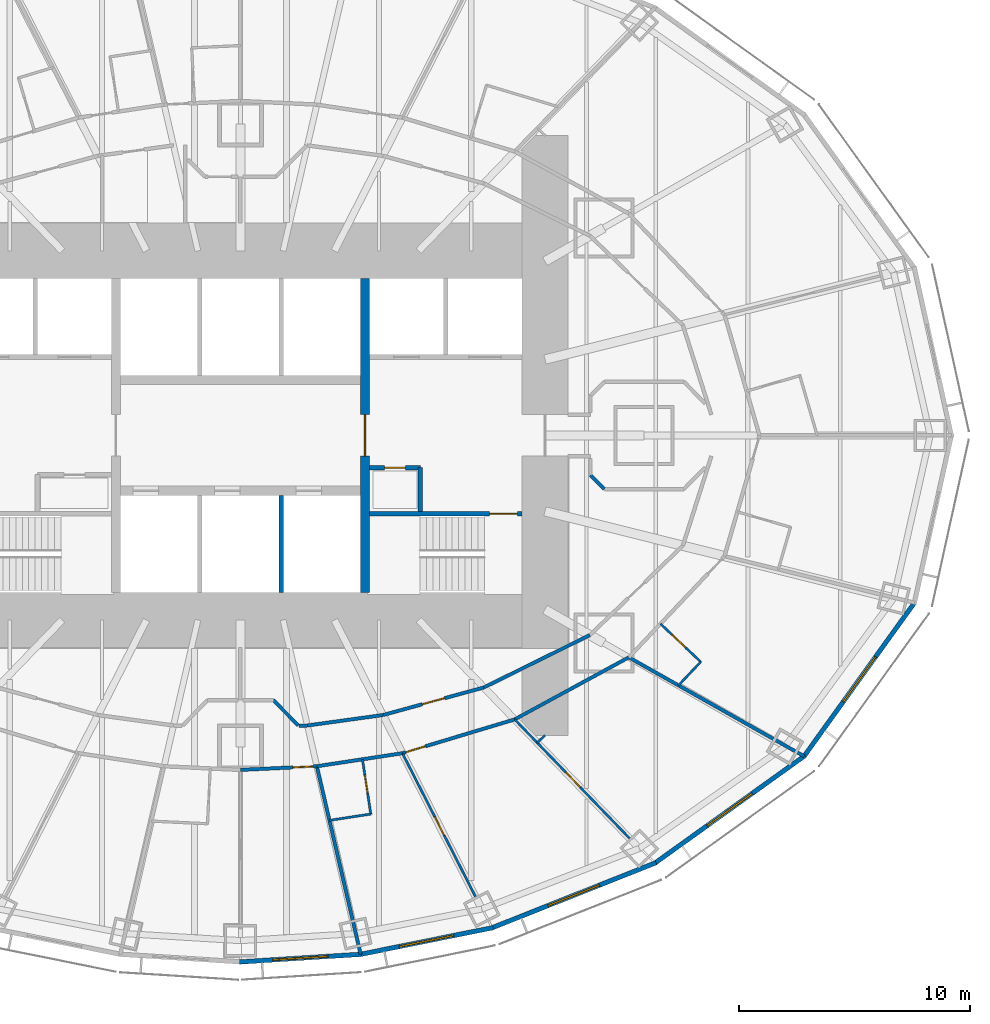
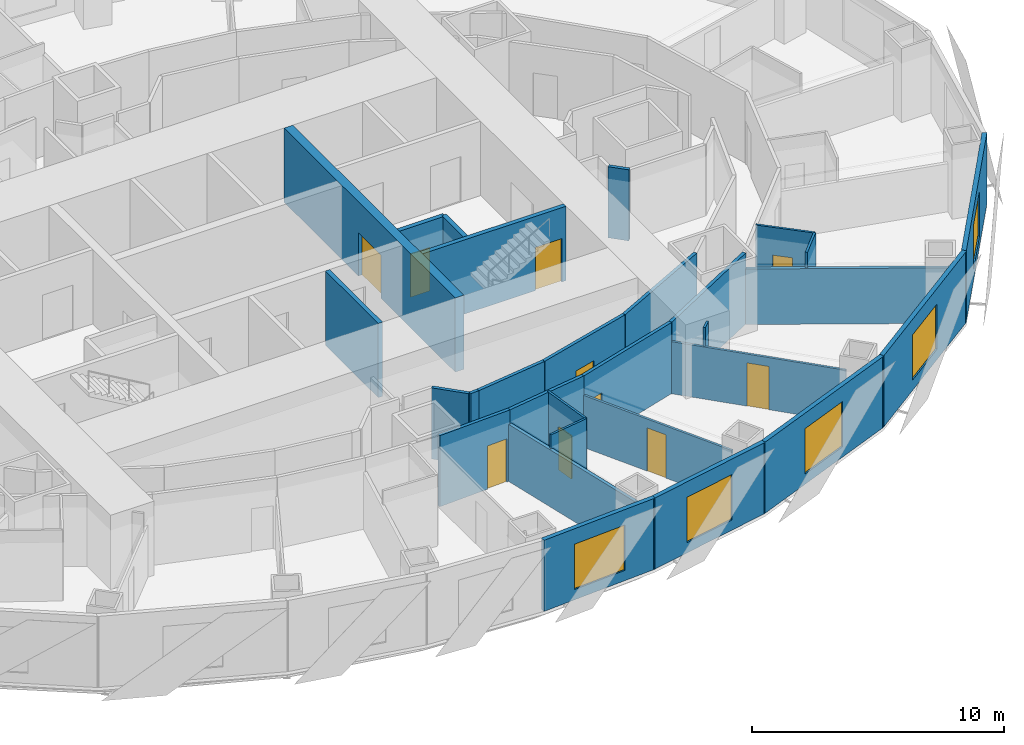
# One storey, part 7 of 15: 29 walls, 10 doors, 5 windows, 15 openings.
"""IFC4 building model written with IfcOpenShell, lengths in metres."""

from ifc_helpers import new_model, si_unit, direction, frame, frame_2d, origin, place, context, subcontext, project, spatial, rectangle, extrude, material, layer, layer_set, type_object, element, fill, save


model = new_model("IFC4")

# Units and contexts
model_context = context("Model", 3, precision=1e-05, world=origin(), true_north=direction((0.0, 1.0)))
body_context = subcontext(model_context, "Body", "Model", "MODEL_VIEW")
ifc_project = project(units=[si_unit("LENGTHUNIT", "METRE"), si_unit("AREAUNIT", "SQUARE_METRE"), si_unit("VOLUMEUNIT", "CUBIC_METRE"), si_unit("PLANEANGLEUNIT", "RADIAN"), si_unit("MASSUNIT", "GRAM", prefix="KILO")], contexts=[model_context])

# Site, building, storey
site_placement = place(None, origin())
site = spatial("IfcSite", under=ifc_project, at=site_placement, CompositionType="ELEMENT")
building_placement = place(site_placement, origin())
building = spatial("IfcBuilding", under=site, at=building_placement, Name="Lantaw Convention Tower", CompositionType="ELEMENT")
storey_placement = place(building_placement, frame((0.0, 0.0, 44.199951171875)))
storey = spatial("IfcBuildingStorey", under=building, at=storey_placement, Name="L08", CompositionType="ELEMENT", Elevation=44.199951171875)

# Wall, opening, door
ifc_material_1 = material(Name="Moisture resistant gypsum board on steel studs", Category="steel")
ifc_layer_1 = layer(ifc_material_1, 0.10009765625)
ifc_layer_set_1 = layer_set([ifc_layer_1], Name="Bathroom wall 100")
wall_type_1 = type_object("IfcWallType", Name="Bathroom wall 100", PredefinedType="PARTITIONING", material=ifc_layer_set_1)
wall_1_placement = place(storey_placement, frame((5.288330078125, -14.04052734375, 0.0), z_axis=(0.0, 0.0, 1.0), x_axis=(0.150757550564, -0.988570766788, 0.0)))
wall_1 = element("IfcWall", 1, at=wall_1_placement, inside=storey, type_object=wall_type_1, Name="Bathroom wall 100", PredefinedType="PARTITIONING", context=body_context, shape_type="SweptSolid", body=[
    extrude(rectangle(XDim=2.39990234375, YDim=0.10009765625, at=frame_2d((1.199951171875, 0.0))), origin(), (0.0, 0.0, 1.0), 3.449951171875),
])
opening_1_placement = place(wall_1_placement, frame((0.699951171875, 0.0, 0.0)))
opening_1 = element("IfcOpeningElement", 2, at=opening_1_placement, cuts=wall_1, Name="Opening L08.54", PredefinedType="OPENING", context=body_context, shape_type="SweptSolid", body=[
    extrude(rectangle(XDim=0.800048828125, YDim=2.10009765625, at=frame_2d((0.39990234375, 1.050048828125))), frame((0.0, 0.06005859375, 0.0), z_axis=(0.0, -1.0, 0.0), x_axis=(1.0, 0.0, 0.0)), (0.0, 0.0, 1.0), 0.1201171875),
])
ifc_material_2 = material(Name="Timber", Category="wood")
door_type_1 = type_object("IfcDoorType", Name="Bathroom door 800", OperationType="SINGLE_SWING_LEFT", PredefinedType="DOOR", material=ifc_material_2)
door_1_placement = place(opening_1_placement, origin())
door_1 = element("IfcDoor", 3, at=door_1_placement, inside=storey, type_object=door_type_1, Name="Bathroom door", OperationType="SINGLE_SWING_LEFT", OverallHeight=2.10009765625, OverallWidth=0.800048828125, PredefinedType="DOOR", context=body_context, shape_type="SweptSolid", body=[
    extrude(rectangle(XDim=0.800048828125, YDim=2.10009765625, at=frame_2d((0.39990234375, 1.050048828125))), frame((0.0, 0.02490234375, 0.0), z_axis=(0.0, -1.0, 0.0), x_axis=(1.0, 0.0, 0.0)), (0.0, 0.0, 1.0), 0.050048828125),
])
fill(opening_1, door_1)

# Wall
wall_2_placement = place(storey_placement, frame((5.650146484375, -16.4130859375, 0.0), z_axis=(0.0, 0.0, 1.0), x_axis=(-0.988567991054, -0.150775750911, 0.0)))
element("IfcWall", 4, at=wall_2_placement, inside=storey, type_object=wall_type_1, Name="Bathroom wall 100", PredefinedType="PARTITIONING", context=body_context, shape_type="SweptSolid", body=[
    extrude(rectangle(XDim=1.818359375, YDim=0.10009765625, at=frame_2d((0.9091796875, 0.0))), origin(), (0.0, 0.0, 1.0), 3.449951171875),
])

# Wall, opening, door
wall_3_placement = place(storey_placement, frame((18.209228515625, -8.166748046875, 0.0), z_axis=(0.0, 0.0, 1.0), x_axis=(0.726567238928, -0.687095369885, 0.0)))
wall_3 = element("IfcWall", 5, at=wall_3_placement, inside=storey, type_object=wall_type_1, Name="Bathroom wall 100", PredefinedType="PARTITIONING", context=body_context, shape_type="SweptSolid", body=[
    extrude(rectangle(XDim=2.39990234375, YDim=0.10009765625, at=frame_2d((1.199951171875, 0.0))), origin(), (0.0, 0.0, 1.0), 3.449951171875),
])
opening_2_placement = place(wall_3_placement, frame((0.699951171875, 0.0, 0.0)))
opening_2 = element("IfcOpeningElement", 6, at=opening_2_placement, cuts=wall_3, Name="Opening L08.58", PredefinedType="OPENING", context=body_context, shape_type="SweptSolid", body=[
    extrude(rectangle(XDim=0.800048828125, YDim=2.10009765625, at=frame_2d((0.39990234375, 1.050048828125))), frame((0.0, 0.06005859375, 0.0), z_axis=(0.0, -1.0, 0.0), x_axis=(1.0, 0.0, 0.0)), (0.0, 0.0, 1.0), 0.1201171875),
])
door_2_placement = place(opening_2_placement, origin())
door_2 = element("IfcDoor", 7, at=door_2_placement, inside=storey, type_object=door_type_1, Name="Bathroom door", OperationType="SINGLE_SWING_LEFT", OverallHeight=2.10009765625, OverallWidth=0.800048828125, PredefinedType="DOOR", context=body_context, shape_type="SweptSolid", body=[
    extrude(rectangle(XDim=0.800048828125, YDim=2.10009765625, at=frame_2d((0.39990234375, 1.050048828125))), frame((0.0, 0.02490234375, 0.0), z_axis=(0.0, -1.0, 0.0), x_axis=(1.0, 0.0, 0.0)), (0.0, 0.0, 1.0), 0.050048828125),
])
fill(opening_2, door_2)

# Wall
wall_4_placement = place(storey_placement, frame((19.952880859375, -9.815673828125, 0.0), z_axis=(0.0, 0.0, 1.0), x_axis=(-0.687017997787, -0.726640399866, 0.0)))
element("IfcWall", 8, at=wall_4_placement, inside=storey, type_object=wall_type_1, Name="Bathroom wall 100", PredefinedType="PARTITIONING", context=body_context, shape_type="SweptSolid", body=[
    extrude(rectangle(XDim=1.417236328125, YDim=0.10009765625, at=frame_2d((0.70849609375, 0.0))), origin(), (0.0, 0.0, 1.0), 3.449951171875),
])

# Wall, opening, door
ifc_material_3 = material(Name="Concrete C60/75", Category="concrete")
ifc_layer_2 = layer(ifc_material_3, 0.199951171875)
ifc_layer_set_2 = layer_set([ifc_layer_2], Name="Core wall 200")
wall_type_2 = type_object("IfcWallType", Name="Core wall 200", PredefinedType="SHEAR", material=ifc_layer_set_2)
wall_5_placement = place(storey_placement, frame((5.60009765625, -3.39990234375, 0.0), z_axis=(0.0, 0.0, 1.0), x_axis=(1.0, 0.0, 0.0)))
wall_5 = element("IfcWall", 9, at=wall_5_placement, inside=storey, type_object=wall_type_2, Name="Core wall ES", PredefinedType="SHEAR", context=body_context, shape_type="SweptSolid", body=[
    extrude(rectangle(XDim=6.599853515625, YDim=0.199951171875, at=frame_2d((3.2998046875, 0.0))), origin(), (0.0, 0.0, 1.0), 3.60009765625),
])
opening_3_placement = place(wall_5_placement, frame((5.199951171875, 0.0, 0.0)))
opening_3 = element("IfcOpeningElement", 10, at=opening_3_placement, cuts=wall_5, Name="Opening L08.05", PredefinedType="OPENING", context=body_context, shape_type="SweptSolid", body=[
    extrude(rectangle(XDim=1.199951171875, YDim=2.10009765625, at=frame_2d((0.60009765625, 1.050048828125))), frame((0.0, 0.10986328125, 0.0), z_axis=(0.0, -1.0, 0.0), x_axis=(1.0, 0.0, 0.0)), (0.0, 0.0, 1.0), 0.219970703125),
])
ifc_material_4 = material(Name="Steel, fire rated", Category="steel")
door_type_2 = type_object("IfcDoorType", Name="Stair door FD90", OperationType="SINGLE_SWING_RIGHT", PredefinedType="DOOR", material=ifc_material_4)
door_3_placement = place(opening_3_placement, origin())
door_3 = element("IfcDoor", 11, at=door_3_placement, inside=storey, type_object=door_type_2, Name="Exit stair door", OperationType="SINGLE_SWING_RIGHT", OverallHeight=2.10009765625, OverallWidth=1.199951171875, PredefinedType="DOOR", context=body_context, shape_type="SweptSolid", body=[
    extrude(rectangle(XDim=1.199951171875, YDim=2.10009765625, at=frame_2d((0.60009765625, 1.050048828125))), frame((0.0, 0.02490234375, 0.0), z_axis=(0.0, -1.0, 0.0), x_axis=(1.0, 0.0, 0.0)), (0.0, 0.0, 1.0), 0.050048828125),
])
fill(opening_3, door_3)

ifc_layer_3 = layer(ifc_material_3, 0.39990234375)
ifc_layer_set_3 = layer_set([ifc_layer_3], Name="Core wall 400")
wall_type_3 = type_object("IfcWallType", Name="Core wall 400", PredefinedType="SHEAR", material=ifc_layer_set_3)
wall_6_placement = place(storey_placement, frame((5.39990234375, -6.800048828125, 0.0), z_axis=(0.0, 0.0, 1.0), x_axis=(0.0, 1.0, 0.0)))
wall_6 = element("IfcWall", 12, at=wall_6_placement, inside=storey, type_object=wall_type_3, Name="Core wall XE", PredefinedType="SHEAR", context=body_context, shape_type="SweptSolid", body=[
    extrude(rectangle(XDim=13.60009765625, YDim=0.39990234375, at=frame_2d((6.800048828125, 0.0))), origin(), (0.0, 0.0, 1.0), 3.60009765625),
])
opening_4_placement = place(wall_6_placement, frame((5.89990234375, 0.0, 0.0)))
opening_4 = element("IfcOpeningElement", 13, at=opening_4_placement, cuts=wall_6, Name="Opening L08.03", PredefinedType="OPENING", context=body_context, shape_type="SweptSolid", body=[
    extrude(rectangle(XDim=1.800048828125, YDim=2.10009765625, at=frame_2d((0.89990234375, 1.050048828125))), frame((0.0, 0.2099609375, 0.0), z_axis=(0.0, -1.0, 0.0), x_axis=(1.0, 0.0, 0.0)), (0.0, 0.0, 1.0), 0.419921875),
])
door_type_3 = type_object("IfcDoorType", Name="Lobby double door FD90", OperationType="DOUBLE_DOOR_DOUBLE_SWING", PredefinedType="DOOR", material=ifc_material_4)
door_4_placement = place(opening_4_placement, origin())
door_4 = element("IfcDoor", 14, at=door_4_placement, inside=storey, type_object=door_type_3, Name="Lift lobby door", OperationType="DOUBLE_DOOR_DOUBLE_SWING", OverallHeight=2.10009765625, OverallWidth=1.800048828125, PredefinedType="DOOR", context=body_context, shape_type="SweptSolid", body=[
    extrude(rectangle(XDim=1.800048828125, YDim=2.10009765625, at=frame_2d((0.89990234375, 1.050048828125))), frame((0.0, 0.02490234375, 0.0), z_axis=(0.0, -1.0, 0.0), x_axis=(1.0, 0.0, 0.0)), (0.0, 0.0, 1.0), 0.050048828125),
])
fill(opening_4, door_4)

ifc_material_5 = material(Name="Gypsum board on steel studs, fire rated", Category="steel")
ifc_layer_4 = layer(ifc_material_5, 0.14990234375)
ifc_layer_set_4 = layer_set([ifc_layer_4], Name="Corridor wall 150 EI 60")
wall_type_4 = type_object("IfcWallType", Name="Corridor wall 150 EI 60", PredefinedType="PARTITIONING", material=ifc_layer_set_4)
wall_7_placement = place(storey_placement, frame((0.0, -14.5, 0.0), z_axis=(0.0, 0.0, 1.0), x_axis=(0.998863968075, 0.047652631422, 0.0)))
wall_7 = element("IfcWall", 15, at=wall_7_placement, inside=storey, type_object=wall_type_4, Name="Corridor wall 150", PredefinedType="PARTITIONING", context=body_context, shape_type="SweptSolid", body=[
    extrude(rectangle(XDim=3.314697265625, YDim=0.14990234375, at=frame_2d((1.6572265625, 0.0))), origin(), (0.0, 0.0, 1.0), 3.449951171875),
])
opening_5_placement = place(wall_7_placement, frame((2.264892578125, 0.0, 0.0)))
opening_5 = element("IfcOpeningElement", 16, at=opening_5_placement, cuts=wall_7, Name="Opening L08.53", PredefinedType="OPENING", context=body_context, shape_type="SweptSolid", body=[
    extrude(rectangle(XDim=0.89990234375, YDim=2.10009765625, at=frame_2d((0.449951171875, 1.050048828125))), frame((0.0, 0.0849609375, 0.0), z_axis=(0.0, -1.0, 0.0), x_axis=(1.0, 0.0, 0.0)), (0.0, 0.0, 1.0), 0.169921875),
])
door_type_4 = type_object("IfcDoorType", Name="Guest room entrance door FD30S", OperationType="SINGLE_SWING_LEFT", PredefinedType="DOOR", material=ifc_material_4)
door_5_placement = place(opening_5_placement, origin())
door_5 = element("IfcDoor", 17, at=door_5_placement, inside=storey, type_object=door_type_4, Name="Suite entrance door", OperationType="SINGLE_SWING_LEFT", OverallHeight=2.10009765625, OverallWidth=0.89990234375, PredefinedType="DOOR", context=body_context, shape_type="SweptSolid", body=[
    extrude(rectangle(XDim=0.89990234375, YDim=2.10009765625, at=frame_2d((0.449951171875, 1.050048828125))), frame((0.0, 0.02490234375, 0.0), z_axis=(0.0, -1.0, 0.0), x_axis=(1.0, 0.0, 0.0)), (0.0, 0.0, 1.0), 0.050048828125),
])
fill(opening_5, door_5)

# Wall
wall_8_placement = place(storey_placement, frame((3.31103515625, -14.342041015625, 0.0), z_axis=(0.0, 0.0, 1.0), x_axis=(0.988564270062, 0.150800145746, 0.0)))
element("IfcWall", 18, at=wall_8_placement, inside=storey, type_object=wall_type_4, Name="Corridor wall 150", PredefinedType="PARTITIONING", context=body_context, shape_type="SweptSolid", body=[
    extrude(rectangle(XDim=3.751220703125, YDim=0.14990234375, at=frame_2d((1.87548828125, 0.0))), origin(), (0.0, 0.0, 1.0), 3.449951171875),
])

# Wall, opening, door
wall_9_placement = place(storey_placement, frame((7.019287109375, -13.7763671875, 0.0), z_axis=(0.0, 0.0, 1.0), x_axis=(0.957564241242, 0.288219922793, 0.0)))
wall_9 = element("IfcWall", 19, at=wall_9_placement, inside=storey, type_object=wall_type_4, Name="Corridor wall 150", PredefinedType="PARTITIONING", context=body_context, shape_type="SweptSolid", body=[
    extrude(rectangle(XDim=5.0849609375, YDim=0.14990234375, at=frame_2d((2.54248046875, 0.0))), origin(), (0.0, 0.0, 1.0), 3.449951171875),
])
opening_6_placement = place(wall_9_placement, frame((0.14990234375, 0.0, 0.0)))
opening_6 = element("IfcOpeningElement", 20, at=opening_6_placement, cuts=wall_9, Name="Opening L08.57", PredefinedType="OPENING", context=body_context, shape_type="SweptSolid", body=[
    extrude(rectangle(XDim=0.89990234375, YDim=2.10009765625, at=frame_2d((0.449951171875, 1.050048828125))), frame((0.0, 0.0849609375, 0.0), z_axis=(0.0, -1.0, 0.0), x_axis=(1.0, 0.0, 0.0)), (0.0, 0.0, 1.0), 0.169921875),
])
door_6_placement = place(opening_6_placement, origin())
door_6 = element("IfcDoor", 21, at=door_6_placement, inside=storey, type_object=door_type_4, Name="Suite entrance door", OperationType="SINGLE_SWING_LEFT", OverallHeight=2.10009765625, OverallWidth=0.89990234375, PredefinedType="DOOR", context=body_context, shape_type="SweptSolid", body=[
    extrude(rectangle(XDim=0.89990234375, YDim=2.10009765625, at=frame_2d((0.449951171875, 1.050048828125))), frame((0.0, 0.02490234375, 0.0), z_axis=(0.0, -1.0, 0.0), x_axis=(1.0, 0.0, 0.0)), (0.0, 0.0, 1.0), 0.050048828125),
])
fill(opening_6, door_6)

# Walls
wall_10_placement = place(storey_placement, frame((11.888427734375, -12.310791015625, 0.0), z_axis=(0.0, 0.0, 1.0), x_axis=(0.878450059298, 0.477834169267, 0.0)))
element("IfcWall", 22, at=wall_10_placement, inside=storey, type_object=wall_type_4, Name="Corridor wall 150", PredefinedType="PARTITIONING", context=body_context, shape_type="SweptSolid", body=[
    extrude(rectangle(XDim=5.630859375, YDim=0.14990234375, at=frame_2d((2.8154296875, 0.0))), origin(), (0.0, 0.0, 1.0), 3.449951171875),
])
wall_11_placement = place(storey_placement, frame((2.903076171875, -12.574462890625, 0.0), z_axis=(0.0, 0.0, 1.0), x_axis=(0.990563451353, 0.137054911782, 0.0)))
element("IfcWall", 23, at=wall_11_placement, inside=storey, type_object=wall_type_4, Name="Corridor wall 150", PredefinedType="PARTITIONING", context=body_context, shape_type="SweptSolid", body=[
    extrude(rectangle(XDim=3.304443359375, YDim=0.14990234375, at=frame_2d((1.65234375, 0.0))), origin(), (0.0, 0.0, 1.0), 3.449951171875),
])

# Wall, opening, door
wall_12_placement = place(storey_placement, frame((6.17626953125, -12.12158203125, 0.0), z_axis=(0.0, 0.0, 1.0), x_axis=(0.964644466646, 0.263554648923, 0.0)))
wall_12 = element("IfcWall", 24, at=wall_12_placement, inside=storey, type_object=wall_type_4, Name="Corridor wall 150", PredefinedType="PARTITIONING", context=body_context, shape_type="SweptSolid", body=[
    extrude(rectangle(XDim=4.535400390625, YDim=0.14990234375, at=frame_2d((2.267578125, 0.0))), origin(), (0.0, 0.0, 1.0), 3.449951171875),
])
opening_7_placement = place(wall_12_placement, frame((1.767578125, 0.0, 0.0)))
opening_7 = element("IfcOpeningElement", 25, at=opening_7_placement, cuts=wall_12, Name="Opening L08.24", PredefinedType="OPENING", context=body_context, shape_type="SweptSolid", body=[
    extrude(rectangle(XDim=1.0, YDim=2.10009765625, at=frame_2d((0.5, 1.050048828125))), frame((0.0, 0.0849609375, 0.0), z_axis=(0.0, -1.0, 0.0), x_axis=(1.0, 0.0, 0.0)), (0.0, 0.0, 1.0), 0.169921875),
])
door_type_5 = type_object("IfcDoorType", Name="Service door 1000 FD30", OperationType="SINGLE_SWING_LEFT", PredefinedType="DOOR", material=ifc_material_4)
door_7_placement = place(opening_7_placement, origin())
door_7 = element("IfcDoor", 26, at=door_7_placement, inside=storey, type_object=door_type_5, Name="Room service pantry door", OperationType="SINGLE_SWING_LEFT", OverallHeight=2.10009765625, OverallWidth=1.0, PredefinedType="DOOR", context=body_context, shape_type="SweptSolid", body=[
    extrude(rectangle(XDim=1.0, YDim=2.10009765625, at=frame_2d((0.5, 1.050048828125))), frame((0.0, 0.02490234375, 0.0), z_axis=(0.0, -1.0, 0.0), x_axis=(1.0, 0.0, 0.0)), (0.0, 0.0, 1.0), 0.050048828125),
])
fill(opening_7, door_7)

# Walls
wall_13_placement = place(storey_placement, frame((10.55126953125, -10.92626953125, 0.0), z_axis=(0.0, 0.0, 1.0), x_axis=(0.89656943448, 0.442903205177, 0.0)))
element("IfcWall", 27, at=wall_13_placement, inside=storey, type_object=wall_type_4, Name="Corridor wall 150", PredefinedType="PARTITIONING", context=body_context, shape_type="SweptSolid", body=[
    extrude(rectangle(XDim=5.12646484375, YDim=0.14990234375, at=frame_2d((2.563232421875, 0.0))), origin(), (0.0, 0.0, 1.0), 3.449951171875),
])
wall_14_placement = place(storey_placement, frame((2.537109375, -12.59033203125, 0.0), z_axis=(0.0, 0.0, 1.0), x_axis=(0.999061181733, 0.04332153223, 0.0)))
element("IfcWall", 28, at=wall_14_placement, inside=storey, type_object=wall_type_4, Name="Corridor wall 150", PredefinedType="PARTITIONING", context=body_context, shape_type="SweptSolid", body=[
    extrude(rectangle(XDim=0.3662109375, YDim=0.14990234375, at=frame_2d((0.18310546875, 0.0))), origin(), (0.0, 0.0, 1.0), 3.449951171875),
])
wall_15_placement = place(storey_placement, frame((1.424560546875, -11.47509765625, 0.0), z_axis=(0.0, 0.0, 1.0), x_axis=(0.701622806479, -0.712548550927, 0.0)))
element("IfcWall", 29, at=wall_15_placement, inside=storey, type_object=wall_type_4, Name="Corridor wall 150", PredefinedType="PARTITIONING", context=body_context, shape_type="SweptSolid", body=[
    extrude(rectangle(XDim=1.541748046875, YDim=0.14990234375, at=frame_2d((0.77099609375, 0.0))), origin(), (0.0, 0.0, 1.0), 3.449951171875),
])
wall_16_placement = place(storey_placement, frame((15.775390625, -2.324951171875, 0.0), z_axis=(0.0, 0.0, 1.0), x_axis=(-0.707106781187, 0.707106781187, 0.0)))
element("IfcWall", 30, at=wall_16_placement, inside=storey, type_object=wall_type_4, Name="Corridor wall 150", PredefinedType="PARTITIONING", context=body_context, shape_type="SweptSolid", body=[
    extrude(rectangle(XDim=0.84912109375, YDim=0.14990234375, at=frame_2d((0.424560546875, 0.0))), origin(), (0.0, 0.0, 1.0), 3.449951171875),
])

# Wall, opening, window
ifc_material_6 = material(Name="Insulated aluminium panel on steel frame", Category="steel")
ifc_layer_5 = layer(ifc_material_6, 0.199951171875)
ifc_layer_set_5 = layer_set([ifc_layer_5], Name="External wall 200")
wall_type_5 = type_object("IfcWallType", Name="External wall 200", PredefinedType="SOLIDWALL", material=ifc_layer_set_5)
wall_17_placement = place(storey_placement, frame((-0.041015625, -22.8271484375, 0.0), z_axis=(0.0, 0.0, 1.0), x_axis=(0.998018582375, 0.062919863585, 0.0)))
wall_17 = element("IfcWall", 31, at=wall_17_placement, inside=storey, type_object=wall_type_5, Name="Facade panel wall", PredefinedType="SOLIDWALL", context=body_context, shape_type="SweptSolid", body=[
    extrude(rectangle(XDim=5.30419921875, YDim=0.199951171875, at=frame_2d((2.652099609375, 0.0))), origin(), (0.0, 0.0, 1.0), 3.449951171875),
])
opening_8_placement = place(wall_17_placement, frame((1.4521484375, 0.0, 0.5)))
opening_8 = element("IfcOpeningElement", 32, at=opening_8_placement, cuts=wall_17, Name="Opening W1", PredefinedType="OPENING", context=body_context, shape_type="SweptSolid", body=[
    extrude(rectangle(XDim=2.39990234375, YDim=2.199951171875, at=frame_2d((1.199951171875, 1.10009765625))), frame((0.0, 0.10986328125, 0.0), z_axis=(0.0, -1.0, 0.0), x_axis=(1.0, 0.0, 0.0)), (0.0, 0.0, 1.0), 0.219970703125),
])
ifc_material_7 = material(Name="Aluminium frame, clear insulating glass", Category="aluminium")
window_type = type_object("IfcWindowType", Name="Guest room window 2400x2200", PartitioningType="SINGLE_PANEL", PredefinedType="WINDOW", material=ifc_material_7)
window_1_placement = place(opening_8_placement, origin())
window_1 = element("IfcWindow", 33, at=window_1_placement, inside=storey, type_object=window_type, Name="Guest room window", OverallHeight=2.199951171875, OverallWidth=2.39990234375, PartitioningType="SINGLE_PANEL", PredefinedType="WINDOW", context=body_context, shape_type="SweptSolid", body=[
    extrude(rectangle(XDim=2.39990234375, YDim=2.199951171875, at=frame_2d((1.199951171875, 1.10009765625))), frame((0.0, 0.030029296875, 0.0), z_axis=(0.0, -1.0, 0.0), x_axis=(1.0, 0.0, 0.0)), (0.0, 0.0, 1.0), 0.06005859375),
])
fill(opening_8, window_1)

wall_18_placement = place(storey_placement, frame((5.169677734375, -22.504150390625, 0.0), z_axis=(0.0, 0.0, 1.0), x_axis=(0.980251657452, 0.197754110105, 0.0)))
wall_18 = element("IfcWall", 34, at=wall_18_placement, inside=storey, type_object=wall_type_5, Name="Facade panel wall", PredefinedType="SOLIDWALL", context=body_context, shape_type="SweptSolid", body=[
    extrude(rectangle(XDim=5.90380859375, YDim=0.199951171875, at=frame_2d((2.951904296875, 0.0))), origin(), (0.0, 0.0, 1.0), 3.449951171875),
])
opening_9_placement = place(wall_18_placement, frame((1.751708984375, 0.0, 0.5)))
opening_9 = element("IfcOpeningElement", 35, at=opening_9_placement, cuts=wall_18, Name="Opening W1", PredefinedType="OPENING", context=body_context, shape_type="SweptSolid", body=[
    extrude(rectangle(XDim=2.39990234375, YDim=2.199951171875, at=frame_2d((1.199951171875, 1.10009765625))), frame((0.0, 0.10986328125, 0.0), z_axis=(0.0, -1.0, 0.0), x_axis=(1.0, 0.0, 0.0)), (0.0, 0.0, 1.0), 0.219970703125),
])
window_2_placement = place(opening_9_placement, origin())
window_2 = element("IfcWindow", 36, at=window_2_placement, inside=storey, type_object=window_type, Name="Guest room window", OverallHeight=2.199951171875, OverallWidth=2.39990234375, PartitioningType="SINGLE_PANEL", PredefinedType="WINDOW", context=body_context, shape_type="SweptSolid", body=[
    extrude(rectangle(XDim=2.39990234375, YDim=2.199951171875, at=frame_2d((1.199951171875, 1.10009765625))), frame((0.0, 0.030029296875, 0.0), z_axis=(0.0, -1.0, 0.0), x_axis=(1.0, 0.0, 0.0)), (0.0, 0.0, 1.0), 0.06005859375),
])
fill(opening_9, window_2)

wall_19_placement = place(storey_placement, frame((10.869384765625, -21.362548828125, 0.0), z_axis=(0.0, 0.0, 1.0), x_axis=(0.929358351251, 0.369178892895, 0.0)))
wall_19 = element("IfcWall", 37, at=wall_19_placement, inside=storey, type_object=wall_type_5, Name="Facade panel wall", PredefinedType="SOLIDWALL", context=body_context, shape_type="SweptSolid", body=[
    extrude(rectangle(XDim=7.6923828125, YDim=0.199951171875, at=frame_2d((3.84619140625, 0.0))), origin(), (0.0, 0.0, 1.0), 3.449951171875),
])
opening_10_placement = place(wall_19_placement, frame((2.64599609375, 0.0, 0.5)))
opening_10 = element("IfcOpeningElement", 38, at=opening_10_placement, cuts=wall_19, Name="Opening W1", PredefinedType="OPENING", context=body_context, shape_type="SweptSolid", body=[
    extrude(rectangle(XDim=2.39990234375, YDim=2.199951171875, at=frame_2d((1.199951171875, 1.10009765625))), frame((0.0, 0.10986328125, 0.0), z_axis=(0.0, -1.0, 0.0), x_axis=(1.0, 0.0, 0.0)), (0.0, 0.0, 1.0), 0.219970703125),
])
window_3_placement = place(opening_10_placement, origin())
window_3 = element("IfcWindow", 39, at=window_3_placement, inside=storey, type_object=window_type, Name="Guest room window", OverallHeight=2.199951171875, OverallWidth=2.39990234375, PartitioningType="SINGLE_PANEL", PredefinedType="WINDOW", context=body_context, shape_type="SweptSolid", body=[
    extrude(rectangle(XDim=2.39990234375, YDim=2.199951171875, at=frame_2d((1.199951171875, 1.10009765625))), frame((0.0, 0.030029296875, 0.0), z_axis=(0.0, -1.0, 0.0), x_axis=(1.0, 0.0, 0.0)), (0.0, 0.0, 1.0), 0.06005859375),
])
fill(opening_10, window_3)

wall_20_placement = place(storey_placement, frame((17.9287109375, -18.57177734375, 0.0), z_axis=(0.0, 0.0, 1.0), x_axis=(0.812791321576, 0.582554948112, 0.0)))
wall_20 = element("IfcWall", 40, at=wall_20_placement, inside=storey, type_object=wall_type_5, Name="Facade panel wall", PredefinedType="SOLIDWALL", context=body_context, shape_type="SweptSolid", body=[
    extrude(rectangle(XDim=8.063232421875, YDim=0.199951171875, at=frame_2d((4.03173828125, 0.0))), origin(), (0.0, 0.0, 1.0), 3.449951171875),
])
opening_11_placement = place(wall_20_placement, frame((2.83154296875, 0.0, 0.5)))
opening_11 = element("IfcOpeningElement", 41, at=opening_11_placement, cuts=wall_20, Name="Opening W1", PredefinedType="OPENING", context=body_context, shape_type="SweptSolid", body=[
    extrude(rectangle(XDim=2.39990234375, YDim=2.199951171875, at=frame_2d((1.199951171875, 1.10009765625))), frame((0.0, 0.10986328125, 0.0), z_axis=(0.0, -1.0, 0.0), x_axis=(1.0, 0.0, 0.0)), (0.0, 0.0, 1.0), 0.219970703125),
])
window_4_placement = place(opening_11_placement, origin())
window_4 = element("IfcWindow", 42, at=window_4_placement, inside=storey, type_object=window_type, Name="Guest room window", OverallHeight=2.199951171875, OverallWidth=2.39990234375, PartitioningType="SINGLE_PANEL", PredefinedType="WINDOW", context=body_context, shape_type="SweptSolid", body=[
    extrude(rectangle(XDim=2.39990234375, YDim=2.199951171875, at=frame_2d((1.199951171875, 1.10009765625))), frame((0.0, 0.030029296875, 0.0), z_axis=(0.0, -1.0, 0.0), x_axis=(1.0, 0.0, 0.0)), (0.0, 0.0, 1.0), 0.06005859375),
])
fill(opening_11, window_4)

wall_21_placement = place(storey_placement, frame((24.400390625, -13.95654296875, 0.0), z_axis=(0.0, 0.0, 1.0), x_axis=(0.583937613703, 0.811798536155, 0.0)))
wall_21 = element("IfcWall", 43, at=wall_21_placement, inside=storey, type_object=wall_type_5, Name="Facade panel wall", PredefinedType="SOLIDWALL", context=body_context, shape_type="SweptSolid", body=[
    extrude(rectangle(XDim=8.322998046875, YDim=0.199951171875, at=frame_2d((4.16162109375, 0.0))), origin(), (0.0, 0.0, 1.0), 3.449951171875),
])
opening_12_placement = place(wall_21_placement, frame((2.96142578125, 0.0, 0.5)))
opening_12 = element("IfcOpeningElement", 44, at=opening_12_placement, cuts=wall_21, Name="Opening W1", PredefinedType="OPENING", context=body_context, shape_type="SweptSolid", body=[
    extrude(rectangle(XDim=2.39990234375, YDim=2.199951171875, at=frame_2d((1.199951171875, 1.10009765625))), frame((0.0, 0.10986328125, 0.0), z_axis=(0.0, -1.0, 0.0), x_axis=(1.0, 0.0, 0.0)), (0.0, 0.0, 1.0), 0.219970703125),
])
window_5_placement = place(opening_12_placement, origin())
window_5 = element("IfcWindow", 45, at=window_5_placement, inside=storey, type_object=window_type, Name="Guest room window", OverallHeight=2.199951171875, OverallWidth=2.39990234375, PartitioningType="SINGLE_PANEL", PredefinedType="WINDOW", context=body_context, shape_type="SweptSolid", body=[
    extrude(rectangle(XDim=2.39990234375, YDim=2.199951171875, at=frame_2d((1.199951171875, 1.10009765625))), frame((0.0, 0.030029296875, 0.0), z_axis=(0.0, -1.0, 0.0), x_axis=(1.0, 0.0, 0.0)), (0.0, 0.0, 1.0), 0.06005859375),
])
fill(opening_12, window_5)

# Walls
ifc_material_8 = material(Name="Gypsum board on steel studs, acoustic", Category="steel")
ifc_layer_6 = layer(ifc_material_8, 0.14990234375)
ifc_layer_set_6 = layer_set([ifc_layer_6], Name="Guest room party wall 150")
wall_type_6 = type_object("IfcWallType", Name="Guest room party wall 150", PredefinedType="PARTITIONING", material=ifc_layer_set_6)
wall_22_placement = place(storey_placement, frame((5.2109375, -22.495849609375, 0.0), z_axis=(0.0, 0.0, 1.0), x_axis=(-0.226929086033, 0.973911284416, 0.0)))
element("IfcWall", 46, at=wall_22_placement, inside=storey, type_object=wall_type_6, Name="Guest room party wall 150", PredefinedType="PARTITIONING", context=body_context, shape_type="SweptSolid", body=[
    extrude(rectangle(XDim=8.372314453125, YDim=0.14990234375, at=frame_2d((4.18603515625, 0.0))), origin(), (0.0, 0.0, 1.0), 2.766845703125),
])
wall_23_placement = place(storey_placement, frame((24.434814453125, -13.90869140625, 0.0), z_axis=(0.0, 0.0, 1.0), x_axis=(-0.87090601027, 0.491449612143, 0.0)))
element("IfcWall", 47, at=wall_23_placement, inside=storey, type_object=wall_type_6, Name="Guest room party wall 150", PredefinedType="PARTITIONING", context=body_context, shape_type="SweptSolid", body=[
    extrude(rectangle(XDim=8.726318359375, YDim=0.14990234375, at=frame_2d((4.36328125, 0.0))), origin(), (0.0, 0.0, 1.0), 2.693115234375),
])
ifc_layer_7 = layer(ifc_material_8, 0.10009765625)
ifc_layer_set_7 = layer_set([ifc_layer_7], Name="Office partition 100")
wall_type_7 = type_object("IfcWallType", Name="Office partition 100", PredefinedType="PARTITIONING", material=ifc_layer_set_7)
wall_24_placement = place(storey_placement, frame((13.199951171875, -13.0, 0.0), z_axis=(0.0, 0.0, 1.0), x_axis=(-0.719347134512, -0.69465077562, 0.0)))
element("IfcWall", 48, at=wall_24_placement, inside=storey, type_object=wall_type_7, Name="Office partition 100", PredefinedType="PARTITIONING", context=body_context, shape_type="SweptSolid", body=[
    extrude(rectangle(XDim=0.464599609375, YDim=0.10009765625, at=frame_2d((0.232421875, 0.0))), origin(), (0.0, 0.0, 1.0), 3.449951171875),
])

# Wall, opening, door
ifc_material_9 = material(Name="Concrete blockwork, fire rated", Category="masonry")
ifc_layer_8 = layer(ifc_material_9, 0.199951171875)
ifc_layer_set_8 = layer_set([ifc_layer_8], Name="Plant room wall 200 EI 120")
wall_type_8 = type_object("IfcWallType", Name="Plant room wall 200 EI 120", PredefinedType="SOLIDWALL", material=ifc_layer_set_8)
wall_25_placement = place(storey_placement, frame((5.60009765625, -1.39990234375, 0.0), z_axis=(0.0, 0.0, 1.0), x_axis=(1.0, 0.0, 0.0)))
wall_25 = element("IfcWall", 49, at=wall_25_placement, inside=storey, type_object=wall_type_8, Name="Plant room wall 200", PredefinedType="SOLIDWALL", context=body_context, shape_type="SweptSolid", body=[
    extrude(rectangle(XDim=2.199951171875, YDim=0.199951171875, at=frame_2d((1.10009765625, 0.0))), origin(), (0.0, 0.0, 1.0), 3.449951171875),
])
opening_13_placement = place(wall_25_placement, frame((0.64990234375, 0.0, 0.0)))
opening_13 = element("IfcOpeningElement", 50, at=opening_13_placement, cuts=wall_25, Name="Opening L08.02", PredefinedType="OPENING", context=body_context, shape_type="SweptSolid", body=[
    extrude(rectangle(XDim=0.89990234375, YDim=2.10009765625, at=frame_2d((0.449951171875, 1.050048828125))), frame((0.0, 0.10986328125, 0.0), z_axis=(0.0, -1.0, 0.0), x_axis=(1.0, 0.0, 0.0)), (0.0, 0.0, 1.0), 0.219970703125),
])
door_type_6 = type_object("IfcDoorType", Name="Service door 900 FD60", OperationType="SINGLE_SWING_LEFT", PredefinedType="DOOR", material=ifc_material_4)
door_8_placement = place(opening_13_placement, origin())
door_8 = element("IfcDoor", 51, at=door_8_placement, inside=storey, type_object=door_type_6, Name="Staff WC door", OperationType="SINGLE_SWING_LEFT", OverallHeight=2.10009765625, OverallWidth=0.89990234375, PredefinedType="DOOR", context=body_context, shape_type="SweptSolid", body=[
    extrude(rectangle(XDim=0.89990234375, YDim=2.10009765625, at=frame_2d((0.449951171875, 1.050048828125))), frame((0.0, 0.02490234375, 0.0), z_axis=(0.0, -1.0, 0.0), x_axis=(1.0, 0.0, 0.0)), (0.0, 0.0, 1.0), 0.050048828125),
])
fill(opening_13, door_8)

# Walls
wall_26_placement = place(storey_placement, frame((7.800048828125, -1.39990234375, 0.0), z_axis=(0.0, 0.0, 1.0), x_axis=(0.0, -1.0, 0.0)))
element("IfcWall", 52, at=wall_26_placement, inside=storey, type_object=wall_type_8, Name="Plant room wall 200", PredefinedType="SOLIDWALL", context=body_context, shape_type="SweptSolid", body=[
    extrude(rectangle(XDim=1.900146484375, YDim=0.199951171875, at=frame_2d((0.9501953125, 0.0))), origin(), (0.0, 0.0, 1.0), 3.449951171875),
])
ifc_layer_9 = layer(ifc_material_9, 0.199951171875)
ifc_layer_set_9 = layer_set([ifc_layer_9], Name="Shaft wall 200 load-bearing")
wall_type_9 = type_object("IfcWallType", Name="Shaft wall 200 load-bearing", PredefinedType="SOLIDWALL", material=ifc_layer_set_9)
wall_27_placement = place(storey_placement, frame((1.7666015625, -2.60009765625, 0.0), z_axis=(0.0, 0.0, 1.0), x_axis=(0.0, -1.0, 0.0)))
element("IfcWall", 53, at=wall_27_placement, inside=storey, type_object=wall_type_9, Name="Shaft wall DS2", PredefinedType="SOLIDWALL", context=body_context, shape_type="SweptSolid", body=[
    extrude(rectangle(XDim=4.199951171875, YDim=0.199951171875, at=frame_2d((2.10009765625, 0.0))), origin(), (0.0, 0.0, 1.0), 3.60009765625),
])

# Wall, opening, door
ifc_material_10 = material(Name="Gypsum board on steel studs", Category="steel")
ifc_layer_10 = layer(ifc_material_10, 0.10009765625)
ifc_layer_set_10 = layer_set([ifc_layer_10], Name="Suite partition 100")
wall_type_10 = type_object("IfcWallType", Name="Suite partition 100", PredefinedType="PARTITIONING", material=ifc_layer_set_10)
wall_28_placement = place(storey_placement, frame((10.235595703125, -20.08837890625, 0.0), z_axis=(0.0, 0.0, 1.0), x_axis=(-0.454010445571, 0.890996360998, 0.0)))
wall_28 = element("IfcWall", 54, at=wall_28_placement, inside=storey, type_object=wall_type_10, Name="Suite partition 100", PredefinedType="PARTITIONING", context=body_context, shape_type="SweptSolid", body=[
    extrude(rectangle(XDim=7.084228515625, YDim=0.10009765625, at=frame_2d((3.5419921875, 0.0))), origin(), (0.0, 0.0, 1.0), 2.528076171875),
])
opening_14_placement = place(wall_28_placement, frame((3.092041015625, 0.0, 0.0)))
opening_14 = element("IfcOpeningElement", 55, at=opening_14_placement, cuts=wall_28, Name="Opening L08.55", PredefinedType="OPENING", context=body_context, shape_type="SweptSolid", body=[
    extrude(rectangle(XDim=0.89990234375, YDim=2.10009765625, at=frame_2d((0.449951171875, 1.050048828125))), frame((0.0, 0.06005859375, 0.0), z_axis=(0.0, -1.0, 0.0), x_axis=(1.0, 0.0, 0.0)), (0.0, 0.0, 1.0), 0.1201171875),
])
door_type_7 = type_object("IfcDoorType", Name="Suite door 900", OperationType="SINGLE_SWING_LEFT", PredefinedType="DOOR", material=ifc_material_2)
door_9_placement = place(opening_14_placement, origin())
door_9 = element("IfcDoor", 56, at=door_9_placement, inside=storey, type_object=door_type_7, Name="Bedroom door", OperationType="SINGLE_SWING_LEFT", OverallHeight=2.10009765625, OverallWidth=0.89990234375, PredefinedType="DOOR", context=body_context, shape_type="SweptSolid", body=[
    extrude(rectangle(XDim=0.89990234375, YDim=2.10009765625, at=frame_2d((0.449951171875, 1.050048828125))), frame((0.0, 0.02490234375, 0.0), z_axis=(0.0, -1.0, 0.0), x_axis=(1.0, 0.0, 0.0)), (0.0, 0.0, 1.0), 0.050048828125),
])
fill(opening_14, door_9)

wall_29_placement = place(storey_placement, frame((16.943603515625, -17.54541015625, 0.0), z_axis=(0.0, 0.0, 1.0), x_axis=(-0.694669949151, 0.719328618746, 0.0)))
wall_29 = element("IfcWall", 57, at=wall_29_placement, inside=storey, type_object=wall_type_10, Name="Suite partition 100", PredefinedType="PARTITIONING", context=body_context, shape_type="SweptSolid", body=[
    extrude(rectangle(XDim=7.277099609375, YDim=0.10009765625, at=frame_2d((3.638671875, 0.0))), origin(), (0.0, 0.0, 1.0), 2.528076171875),
])
opening_15_placement = place(wall_29_placement, frame((3.188720703125, 0.0, 0.0)))
opening_15 = element("IfcOpeningElement", 58, at=opening_15_placement, cuts=wall_29, Name="Opening L08.56", PredefinedType="OPENING", context=body_context, shape_type="SweptSolid", body=[
    extrude(rectangle(XDim=0.89990234375, YDim=2.10009765625, at=frame_2d((0.449951171875, 1.050048828125))), frame((0.0, 0.06005859375, 0.0), z_axis=(0.0, -1.0, 0.0), x_axis=(1.0, 0.0, 0.0)), (0.0, 0.0, 1.0), 0.1201171875),
])
door_10_placement = place(opening_15_placement, origin())
door_10 = element("IfcDoor", 59, at=door_10_placement, inside=storey, type_object=door_type_7, Name="Kitchenette door", OperationType="SINGLE_SWING_LEFT", OverallHeight=2.10009765625, OverallWidth=0.89990234375, PredefinedType="DOOR", context=body_context, shape_type="SweptSolid", body=[
    extrude(rectangle(XDim=0.89990234375, YDim=2.10009765625, at=frame_2d((0.449951171875, 1.050048828125))), frame((0.0, 0.02490234375, 0.0), z_axis=(0.0, -1.0, 0.0), x_axis=(1.0, 0.0, 0.0)), (0.0, 0.0, 1.0), 0.050048828125),
])
fill(opening_15, door_10)

save(model, "model.ifc")
